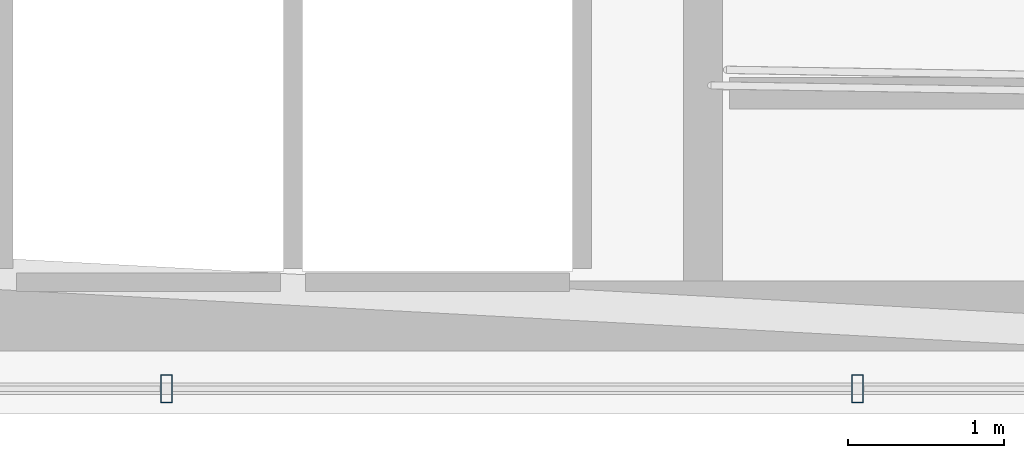
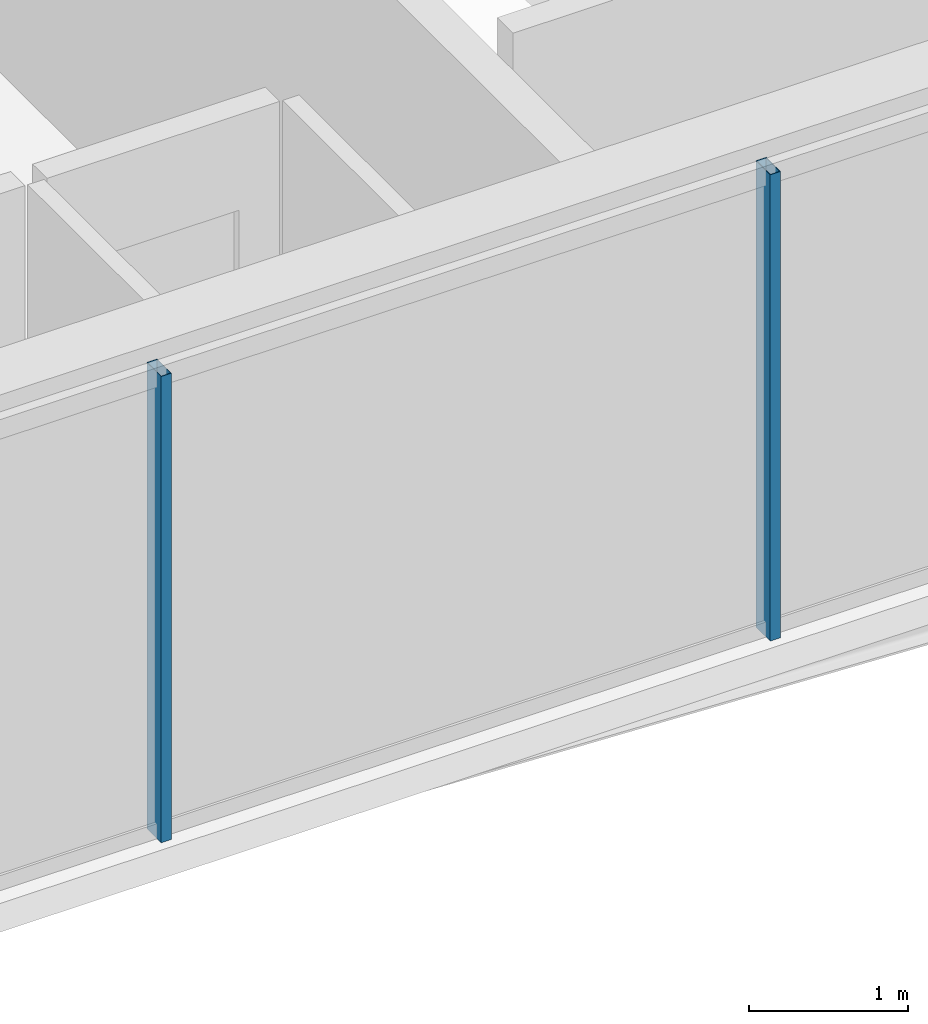
# One storey, part 6 of 32: 2 members, 1 element without a shape of its own.
"""IFC4 building model written with IfcOpenShell, lengths in metres."""

from ifc_helpers import new_model, si_unit, direction, frame, origin, origin_2d, place, context, subcontext, project, spatial, hollow_rectangle, extrude, material, layer, layer_set, material_profile, profile_set, type_object, element, aggregate, save


model = new_model("IFC4")

# Units and contexts
model_context = context("Model", 3, precision=1e-05, world=origin(), true_north=direction((0.0, 1.0)))
body_context = subcontext(model_context, "Body", "Model", "MODEL_VIEW")
ifc_project = project(units=[si_unit("LENGTHUNIT", "METRE"), si_unit("AREAUNIT", "SQUARE_METRE"), si_unit("VOLUMEUNIT", "CUBIC_METRE"), si_unit("PLANEANGLEUNIT", "RADIAN"), si_unit("MASSUNIT", "GRAM", prefix="KILO")], contexts=[model_context])

# Site, building, storey
site_placement = place(None, origin())
site = spatial("IfcSite", under=ifc_project, at=site_placement, CompositionType="ELEMENT")
building_placement = place(site_placement, origin())
building = spatial("IfcBuilding", under=site, at=building_placement, Name="Ndaravel Arena Tower", CompositionType="ELEMENT")
storey_placement = place(building_placement, frame((0.0, 0.0, 47.39990234375)))
storey = spatial("IfcBuildingStorey", under=building, at=storey_placement, Name="L09", CompositionType="ELEMENT", Elevation=47.39990234375)

# Curtain wall, members
ifc_material_1 = material(Name="Aluminium", Category="aluminium")
ifc_layer = layer(ifc_material_1, 0.179931640625)
ifc_layer_set = layer_set([ifc_layer], Name="Aluminium")
curtain_wall_type = type_object("IfcCurtainWallType", Name="CW-SYS-03", PredefinedType="NOTDEFINED", material=ifc_layer_set)
curtain_wall_placement = place(storey_placement, origin())
curtain_wall = element("IfcCurtainWall", 1, at=curtain_wall_placement, inside=storey, type_object=curtain_wall_type, Name="L09 Faceted Crystal Curtain Wall CW-L09-E01", PredefinedType="NOTDEFINED")
ifc_material_2 = material(Name="Aluminium", Category="aluminium")
ifc_material_profile = material_profile(ifc_material_2, hollow_rectangle(XDim=0.074951171875, YDim=0.179931640625, WallThickness=0.00390625, at=origin_2d()), Name="CW MULLION 75x180x4")
ifc_profile_set = profile_set([ifc_material_profile], Name="Aluminium")
member_type = type_object("IfcMemberType", Name="MEM-CW-MUL180", PredefinedType="MULLION", material=ifc_profile_set)
member_1_placement = place(storey_placement, frame((35.36572265625, 5.159912109375, 0.0), z_axis=(0.0, 0.0, 1.0), x_axis=(1.0, 0.0, 0.0)))
member_1 = element("IfcMember", 2, at=member_1_placement, type_object=member_type, Name="CW-L09-E01 Mullion 02", PredefinedType="MULLION", context=body_context, shape_type="SweptSolid", body=[
    extrude(hollow_rectangle(XDim=0.074951171875, YDim=0.179931640625, WallThickness=0.00390625, at=origin_2d()), origin(), (0.0, 0.0, 1.0), 3.580078125),
])
member_2_placement = place(storey_placement, frame((39.78857421875, 5.159912109375, 0.0), z_axis=(0.0, 0.0, 1.0), x_axis=(1.0, 0.0, 0.0)))
member_2 = element("IfcMember", 3, at=member_2_placement, type_object=member_type, Name="CW-L09-E01 Mullion 03", PredefinedType="MULLION", context=body_context, shape_type="SweptSolid", body=[
    extrude(hollow_rectangle(XDim=0.074951171875, YDim=0.179931640625, WallThickness=0.00390625, at=origin_2d()), origin(), (0.0, 0.0, 1.0), 3.580078125),
])
aggregate(curtain_wall, [member_1, member_2])

save(model, "model.ifc")
